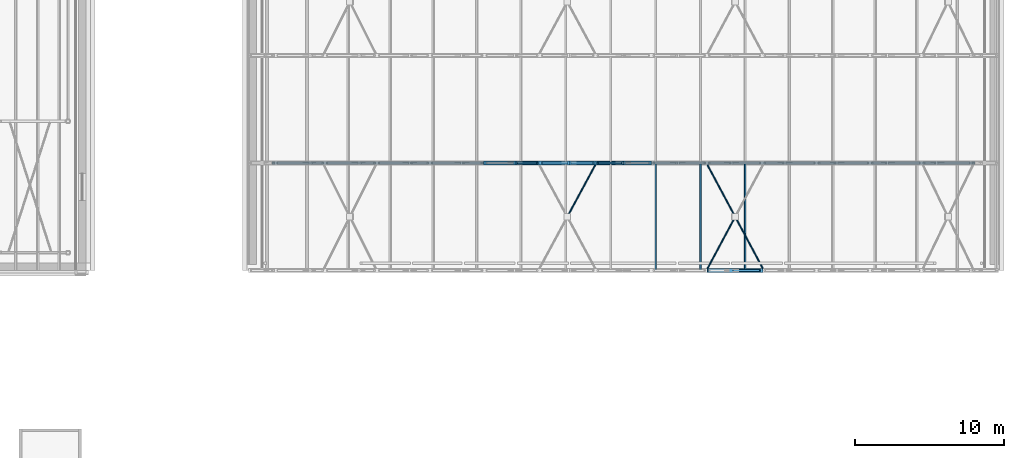
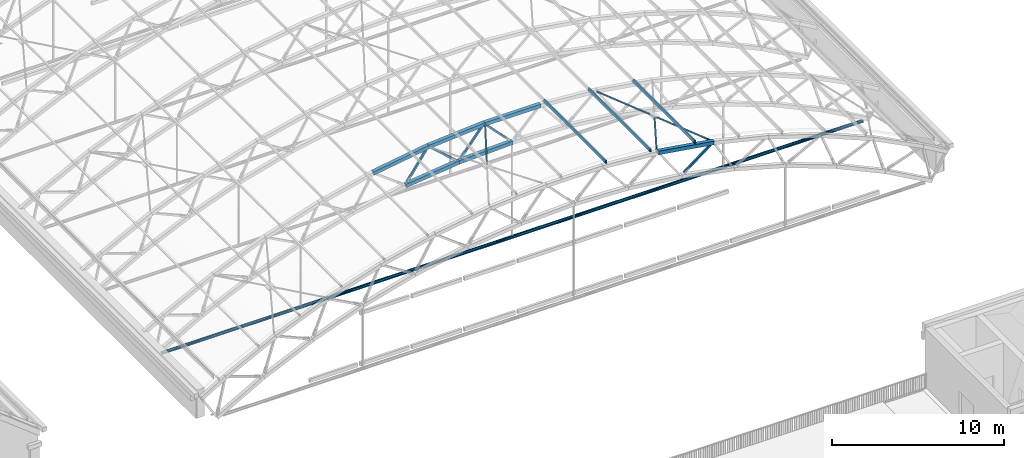
# One storey, part 49 of 127: 18 members.
"""IFC4 building model written with IfcOpenShell, lengths in metres."""

from ifc_helpers import new_model, si_unit, direction, frame, origin, origin_2d, place, context, subcontext, project, spatial, hollow_rectangle, hollow_circle, extrude, material, material_profile, profile_set, type_object, element, save


model = new_model("IFC4")

# Units and contexts
model_context = context("Model", 3, precision=1e-05, world=origin(), true_north=direction((0.0, 1.0)))
body_context = subcontext(model_context, "Body", "Model", "MODEL_VIEW")
ifc_project = project(units=[si_unit("LENGTHUNIT", "METRE"), si_unit("AREAUNIT", "SQUARE_METRE"), si_unit("VOLUMEUNIT", "CUBIC_METRE"), si_unit("PLANEANGLEUNIT", "RADIAN"), si_unit("MASSUNIT", "GRAM", prefix="KILO")], contexts=[model_context])

# Site, building, storey
site_placement = place(None, origin())
site = spatial("IfcSite", under=ifc_project, at=site_placement, CompositionType="ELEMENT")
building_placement = place(site_placement, origin())
building = spatial("IfcBuilding", under=site, at=building_placement, Name="Verrick Yard Athletic Hall", CompositionType="ELEMENT")
storey_placement = place(building_placement, frame((0.0, 0.0, 14.0)))
storey = spatial("IfcBuildingStorey", under=building, at=storey_placement, Name="L03", CompositionType="ELEMENT", Elevation=14.0)

# Members
ifc_material = material(Name="Structural steel HSS Class C 350W (CSA G40.20/G40.21)", Category="steel")
ifc_material_profile_1 = material_profile(ifc_material, hollow_rectangle(XDim=0.25390625, YDim=0.25390625, WallThickness=0.009521484375, at=origin_2d()), Name="HSS254x254x9.5")
ifc_profile_set_1 = profile_set([ifc_material_profile_1], Name="Structural steel HSS Class C 350W (CSA G40.20/G40.21)")
member_type_1 = type_object("IfcMemberType", Name="HB bottom chord HSS254x254x9.5", PredefinedType="CHORD", material=ifc_profile_set_1)
member_1_placement = place(storey_placement, frame((138.42041015625, 79.199951171875, 6.193359375), z_axis=(0.993094882284, 0.0, 0.117313915545), x_axis=(0.0, 1.0, 0.0)))
element("IfcMember", 1, at=member_1_placement, inside=storey, type_object=member_type_1, Name="Truss TA2 bottom chord 6", PredefinedType="CHORD", context=body_context, shape_type="SweptSolid", body=[
    extrude(hollow_rectangle(XDim=0.25390625, YDim=0.25390625, WallThickness=0.009521484375, at=origin_2d()), origin(), (0.0, 0.0, 1.0), 3.59619140625),
])
member_2_placement = place(storey_placement, frame((142.001708984375, 79.199951171875, 6.615966796875), z_axis=(0.999229759959, 0.0, 0.039241391579), x_axis=(0.0, 1.0, 0.0)))
element("IfcMember", 2, at=member_2_placement, inside=storey, type_object=member_type_1, Name="Truss TA2 bottom chord 7", PredefinedType="CHORD", context=body_context, shape_type="SweptSolid", body=[
    extrude(hollow_rectangle(XDim=0.25390625, YDim=0.25390625, WallThickness=0.009521484375, at=origin_2d()), origin(), (0.0, 0.0, 1.0), 3.595947265625),
])
ifc_material_profile_2 = material_profile(ifc_material, hollow_rectangle(XDim=0.1015625, YDim=0.203125, WallThickness=0.009521484375, at=origin_2d()), Name="HSS203x102x9.5")
ifc_profile_set_2 = profile_set([ifc_material_profile_2], Name="Structural steel HSS Class C 350W (CSA G40.20/G40.21)")
member_type_2 = type_object("IfcMemberType", Name="HB purlin HSS203x102x9.5", PredefinedType="PURLIN", material=ifc_profile_set_2)
for number, where, z_axis, x_axis, name in (
    (3, (147.77685546875, 72.0, 8.92626953125), (0.0, 1.0, 0.0), (-0.996927304266, 0.0, 0.078332305011), "HB-PU-A-1-10"),
    (4, (150.767578125, 72.0, 8.69140625), (0.0, 1.0, 0.0), (-0.996927304266, 0.0, 0.078332305011), "HB-PU-A-1-11"),
    (5, (153.7529296875, 72.0, 8.258544921875), (0.0, 1.0, 0.0), (-0.987728086354, 0.0, 0.156183313539), "HB-PU-A-1-12"),
):
    element("IfcMember", number, at=place(storey_placement, frame(where, z_axis=z_axis, x_axis=x_axis)), inside=storey, type_object=member_type_2, Name=name, PredefinedType="PURLIN", context=body_context, shape_type="SweptSolid", body=[
        extrude(hollow_rectangle(XDim=0.1015625, YDim=0.203125, WallThickness=0.009521484375, at=origin_2d()), origin(), (0.0, 0.0, 1.0), 7.199951171875),
    ])
ifc_material_profile_3 = material_profile(ifc_material, hollow_circle(Radius=0.05712890625, WallThickness=0.00634765625, at=origin_2d()), Name="HSS114x6.4")
ifc_profile_set_3 = profile_set([ifc_material_profile_3], Name="Structural steel HSS Class C 350W (CSA G40.20/G40.21)")
member_type_3 = type_object("IfcMemberType", Name="HB roof brace HSS114x6.4", PredefinedType="BRACE", material=ifc_profile_set_3)
member_3_placement = place(storey_placement, frame((141.89306640625, 75.69287109375, 8.576904296875), z_axis=(0.474853047314, 0.879275169194, 0.037279488936), x_axis=(-0.87988679764, 0.475183357599, 0.0)))
element("IfcMember", 6, at=member_3_placement, inside=storey, type_object=member_type_3, Name="HB-BR-A-1-5b2", PredefinedType="BRACE", context=body_context, shape_type="SweptSolid", body=[
    extrude(hollow_circle(Radius=0.05712890625, WallThickness=0.00634765625, at=origin_2d()), origin(), (0.0, 0.0, 1.0), 3.84423828125),
])
member_4_placement = place(storey_placement, frame((151.232666015625, 72.126953125, 8.425537109375), z_axis=(0.470494511114, 0.879264003359, -0.07436213693), x_axis=(-0.881705177437, 0.471800784315, 0.0)))
element("IfcMember", 7, at=member_4_placement, inside=storey, type_object=member_type_3, Name="HB-BR-A-1-8b1", PredefinedType="BRACE", context=body_context, shape_type="SweptSolid", body=[
    extrude(hollow_circle(Radius=0.05712890625, WallThickness=0.00634765625, at=origin_2d()), origin(), (0.0, 0.0, 1.0), 3.844482421875),
])
member_5_placement = place(storey_placement, frame((154.949462890625, 72.126953125, 7.837890625), z_axis=(-0.470490238613, 0.879264173593, 0.074387152151), x_axis=(-0.881706997681, -0.471797382612, 0.0)))
element("IfcMember", 8, at=member_5_placement, inside=storey, type_object=member_type_3, Name="HB-BR-A-1-8a", PredefinedType="BRACE", context=body_context, shape_type="SweptSolid", body=[
    extrude(hollow_circle(Radius=0.05712890625, WallThickness=0.00634765625, at=origin_2d()), origin(), (0.0, 0.0, 1.0), 7.89990234375),
])
ifc_material_profile_4 = material_profile(ifc_material, hollow_circle(Radius=0.109619140625, WallThickness=0.0126953125, at=origin_2d()), Name="HSS219x13")
ifc_profile_set_4 = profile_set([ifc_material_profile_4], Name="Structural steel HSS Class C 350W (CSA G40.20/G40.21)")
member_type_4 = type_object("IfcMemberType", Name="HB tie rod HSS219x13", PredefinedType="MEMBER", material=ifc_profile_set_4)
member_6_placement = place(storey_placement, frame((122.056396484375, 79.199951171875, 0.0), z_axis=(1.0, 0.0, 0.0), x_axis=(0.0, 1.0, 0.0)))
element("IfcMember", 9, at=member_6_placement, inside=storey, type_object=member_type_4, Name="Truss TA2 tie 1", PredefinedType="MEMBER", context=body_context, shape_type="SweptSolid", body=[
    extrude(hollow_circle(Radius=0.109619140625, WallThickness=0.0126953125, at=origin_2d()), origin(), (0.0, 0.0, 1.0), 47.08740234375),
])
ifc_material_profile_5 = material_profile(ifc_material, hollow_rectangle(XDim=0.25390625, YDim=0.25390625, WallThickness=0.009521484375, at=origin_2d()), Name="HSS254x254x9.5")
ifc_profile_set_5 = profile_set([ifc_material_profile_5], Name="Structural steel HSS Class C 350W (CSA G40.20/G40.21)")
member_type_5 = type_object("IfcMemberType", Name="HB top chord HSS254x254x9.5", PredefinedType="CHORD", material=ifc_profile_set_5)
for number, where, z_axis, x_axis, name in (
    (10, (151.237548828125, 72.0, 8.4248046875), (0.987726014692, 0.0, -0.156196414495), (0.0, 1.0, 0.0), "Truss TA1 top chord 10"),
    (11, (136.255615234375, 79.199951171875, 7.838623046875), (0.987726014692, 0.0, 0.156196414495), (0.0, 1.0, 0.0), "Truss TA2 top chord 6"),
    (12, (139.97216796875, 79.199951171875, 8.426025390625), (0.996928028323, 0.0, 0.078323089468), (0.0, 1.0, 0.0), "Truss TA2 top chord 7"),
):
    element("IfcMember", number, at=place(storey_placement, frame(where, z_axis=z_axis, x_axis=x_axis)), inside=storey, type_object=member_type_5, Name=name, PredefinedType="CHORD", context=body_context, shape_type="SweptSolid", body=[
        extrude(hollow_rectangle(XDim=0.25390625, YDim=0.25390625, WallThickness=0.009521484375, at=origin_2d()), origin(), (0.0, 0.0, 1.0), 3.7529296875),
    ])
member_7_placement = place(storey_placement, frame((143.7236328125, 79.199951171875, 8.72021484375), z_axis=(1.0, 0.0, 0.0), x_axis=(0.0, 1.0, 0.0)))
element("IfcMember", 13, at=member_7_placement, inside=storey, type_object=member_type_5, Name="Truss TA2 top chord 8", PredefinedType="CHORD", context=body_context, shape_type="SweptSolid", body=[
    extrude(hollow_rectangle(XDim=0.25390625, YDim=0.25390625, WallThickness=0.009521484375, at=origin_2d()), origin(), (0.0, 0.0, 1.0), 3.752685546875),
])
ifc_material_profile_6 = material_profile(ifc_material, hollow_rectangle(XDim=0.126953125, YDim=0.126953125, WallThickness=0.009521484375, at=origin_2d()), Name="HSS127x127x9.5")
ifc_profile_set_6 = profile_set([ifc_material_profile_6], Name="Structural steel HSS Class C 350W (CSA G40.20/G40.21)")
member_type_6 = type_object("IfcMemberType", Name="HB truss web HSS127x127x9.5", PredefinedType="BRACE", material=ifc_profile_set_6)
member_8_placement = place(storey_placement, frame((152.982421875, 72.0, 6.34326171875), z_axis=(0.796206425538, 0.0, 0.605025063887), x_axis=(0.0, 1.0, 0.0)))
element("IfcMember", 14, at=member_8_placement, inside=storey, type_object=member_type_6, Name="Truss TA1 web 19", PredefinedType="BRACE", context=body_context, shape_type="SweptSolid", body=[
    extrude(hollow_rectangle(XDim=0.126953125, YDim=0.126953125, WallThickness=0.009521484375, at=origin_2d()), origin(), (0.0, 0.0, 1.0), 2.2333984375),
])
for number, where, z_axis, x_axis, name in (
    (15, (138.5576171875, 79.199951171875, 6.39697265625), (0.570664111571, 0.0, 0.821183579819), (0.0, 1.0, 0.0), "Truss TA2 web 11"),
    (16, (140.14404296875, 79.199951171875, 8.26806640625), (0.746340924984, 0.0, -0.665563838932), (0.0, 1.0, 0.0), "Truss TA2 web 12"),
    (17, (142.154296875, 79.199951171875, 6.808349609375), (0.633202076169, 0.0, 0.773986518445), (0.0, 1.0, 0.0), "Truss TA2 web 13"),
    (18, (143.88232421875, 79.199951171875, 8.54931640625), (0.691974203846, 0.0, -0.721922226568), (0.0, 1.0, 0.0), "Truss TA2 web 14"),
):
    element("IfcMember", number, at=place(storey_placement, frame(where, z_axis=z_axis, x_axis=x_axis)), inside=storey, type_object=member_type_6, Name=name, PredefinedType="BRACE", context=body_context, shape_type="SweptSolid", body=[
        extrude(hollow_rectangle(XDim=0.126953125, YDim=0.126953125, WallThickness=0.009521484375, at=origin_2d()), origin(), (0.0, 0.0, 1.0), 2.233642578125),
    ])

save(model, "model.ifc")
